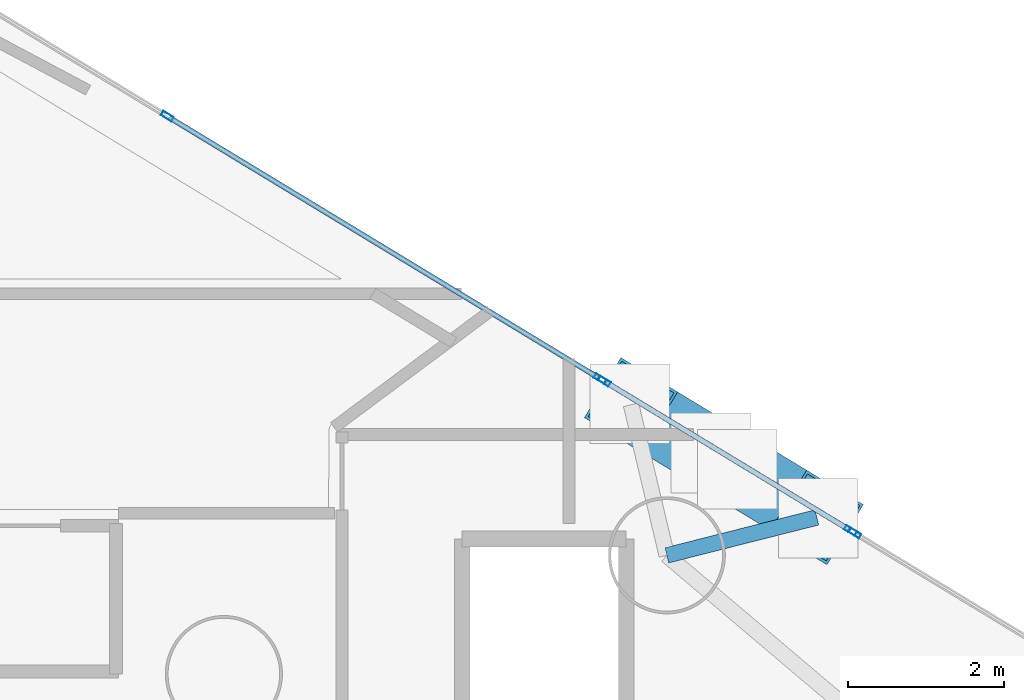
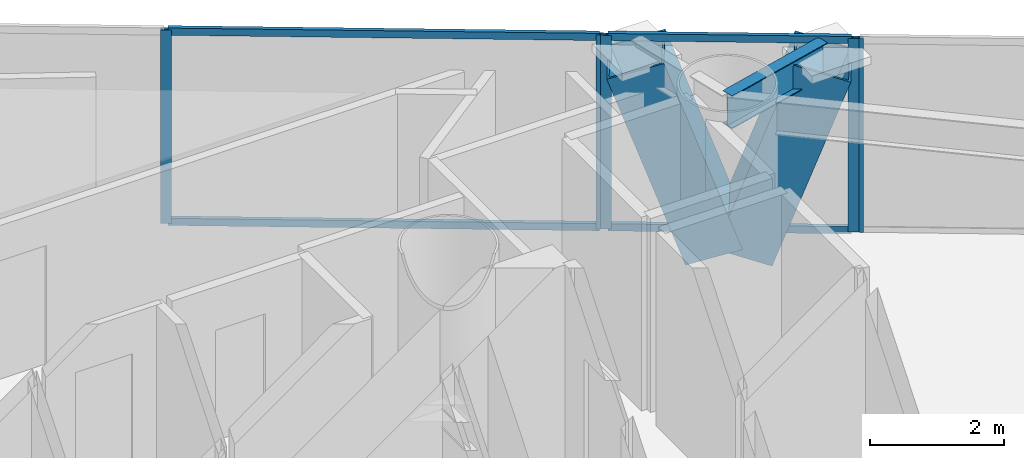
# One storey, part 10 of 18: 11 members, 1 beam, 3 elements without a shape of their own.
"""IFC4 building model written with IfcOpenShell, lengths in metres."""

from ifc_helpers import new_model, si_unit, direction, frame, origin, origin_2d, place, context, subcontext, project, spatial, hollow_rectangle, i_section, extrude, material, layer, layer_set, material_profile, profile_set, type_object, element, aggregate, save


model = new_model("IFC4")

# Units and contexts
model_context = context("Model", 3, precision=1e-05, world=origin(), true_north=direction((0.0, 1.0)))
body_context = subcontext(model_context, "Body", "Model", "MODEL_VIEW")
ifc_project = project(units=[si_unit("LENGTHUNIT", "METRE"), si_unit("AREAUNIT", "SQUARE_METRE"), si_unit("VOLUMEUNIT", "CUBIC_METRE"), si_unit("PLANEANGLEUNIT", "RADIAN"), si_unit("MASSUNIT", "GRAM", prefix="KILO")], contexts=[model_context])

# Site, building, storey
site_placement = place(None, origin())
site = spatial("IfcSite", under=ifc_project, at=site_placement, CompositionType="ELEMENT")
building_placement = place(site_placement, origin())
building = spatial("IfcBuilding", under=site, at=building_placement, Name="Qianvela Tower", CompositionType="ELEMENT")
storey_placement = place(building_placement, frame((0.0, 0.0, 116.300048828125)))
storey = spatial("IfcBuildingStorey", under=building, at=storey_placement, Name="L29", CompositionType="ELEMENT", Elevation=116.300048828125)

# Beam
ifc_material_1 = material(Name="Steel Q355B", Category="steel")
ifc_material_profile_1 = material_profile(ifc_material_1, i_section(OverallWidth=0.199951171875, OverallDepth=0.60009765625, WebThickness=0.010986328125, FlangeThickness=0.01708984375, at=origin_2d()), Name="HN600x200x11x17")
ifc_profile_set_1 = profile_set([ifc_material_profile_1], Name="Steel Q355B")
beam_type = type_object("IfcBeamType", Name="BM-HN600-GIRD", PredefinedType="BEAM", material=ifc_profile_set_1)
beam_placement = place(storey_placement, frame((44.071044921875, 35.070068359375, 3.218017578125), z_axis=(0.969479418565, 0.245172708469, 0.0), x_axis=(-0.245172708469, 0.969479418565, 0.0)))
element("IfcBeam", 1, at=beam_placement, inside=storey, type_object=beam_type, Name="L29 Mega-Brace Column Tie Bracket F1-1", PredefinedType="BEAM", context=body_context, shape_type="SweptSolid", body=[
    extrude(i_section(OverallWidth=0.199951171875, OverallDepth=0.60009765625, WebThickness=0.010986328125, FlangeThickness=0.01708984375, at=origin_2d()), origin(), (0.0, 0.0, 1.0), 1.981689453125),
])

# Curtain wall, members
ifc_material_2 = material(Name="Anodised Architectural Aluminium and Insulated Spandrel Panel", Category="aluminium")
ifc_layer_1 = layer(ifc_material_2, 0.179931640625)
ifc_layer_set_1 = layer_set([ifc_layer_1], Name="Anodised Architectural Aluminium and Insulated Spandrel Panel")
curtain_wall_type_1 = type_object("IfcCurtainWallType", Name="CW-BRACEBAY", PredefinedType="USERDEFINED", material=ifc_layer_set_1)
curtain_wall_1_placement = place(storey_placement, origin())
curtain_wall_1 = element("IfcCurtainWall", 2, at=curtain_wall_1_placement, inside=storey, type_object=curtain_wall_type_1, Name="L29 CW-BRACEBAY Curtain Wall 02B", ObjectType="CURTAIN_WALL_SYSTEM", PredefinedType="USERDEFINED")
ifc_material_3 = material(Name="Anodised Architectural Aluminium 6063-T6", Category="aluminium")
ifc_material_profile_2 = material_profile(ifc_material_3, hollow_rectangle(XDim=0.06494140625, YDim=0.159912109375, WallThickness=0.0048828125, at=origin_2d()), Name="ALU-MULL-65x160")
ifc_profile_set_2 = profile_set([ifc_material_profile_2], Name="Anodised Architectural Aluminium 6063-T6")
member_type_1 = type_object("IfcMemberType", Name="CW-BRACEBAY-MULL", PredefinedType="MULLION", material=ifc_profile_set_2)
member_1_placement = place(storey_placement, frame((46.422607421875, 35.388427734375, 0.0), z_axis=(0.0, 0.0, 1.0), x_axis=(-0.518529231212, -0.855059902217, 0.0)))
member_1 = element("IfcMember", 3, at=member_1_placement, type_object=member_type_1, Name="CW-9 mullion 1", PredefinedType="MULLION", context=body_context, shape_type="SweptSolid", body=[
    extrude(hollow_rectangle(XDim=0.06494140625, YDim=0.159912109375, WallThickness=0.0048828125, at=origin_2d()), origin(), (0.0, 0.0, 1.0), 3.52001953125),
])
member_2_placement = place(storey_placement, frame((43.271728515625, 37.299072265625, 0.0), z_axis=(0.0, 0.0, 1.0), x_axis=(-0.518529231212, -0.855059902217, 0.0)))
member_2 = element("IfcMember", 4, at=member_2_placement, type_object=member_type_1, Name="CW-9 mullion 2", PredefinedType="MULLION", context=body_context, shape_type="SweptSolid", body=[
    extrude(hollow_rectangle(XDim=0.06494140625, YDim=0.159912109375, WallThickness=0.0048828125, at=origin_2d()), origin(), (0.0, 0.0, 1.0), 3.52001953125),
])
ifc_material_4 = material(Name="Anodised Architectural Aluminium 6063-T6", Category="aluminium")
ifc_material_profile_3 = material_profile(ifc_material_4, hollow_rectangle(XDim=0.06494140625, YDim=0.1298828125, WallThickness=0.00439453125, at=origin_2d()), Name="ALU-TRAN-65x130")
ifc_profile_set_3 = profile_set([ifc_material_profile_3], Name="Anodised Architectural Aluminium 6063-T6")
member_type_2 = type_object("IfcMemberType", Name="CW-BRACEBAY-TRAN", PredefinedType="USERDEFINED", material=ifc_profile_set_3)
member_3_placement = place(storey_placement, frame((46.39501953125, 35.4052734375, 0.032470703125), z_axis=(-0.855085485155, 0.518487042343, 0.0), x_axis=(-0.518487042343, -0.855085485155, 0.0)))
member_3 = element("IfcMember", 5, at=member_3_placement, type_object=member_type_2, Name="CW-9 transom 1.1", ObjectType="TRANSOM", PredefinedType="USERDEFINED", context=body_context, shape_type="SweptSolid", body=[
    extrude(hollow_rectangle(XDim=0.06494140625, YDim=0.1298828125, WallThickness=0.00439453125, at=origin_2d()), origin(), (0.0, 0.0, 1.0), 3.6201171875),
])
member_4_placement = place(storey_placement, frame((46.39501953125, 35.4052734375, 3.487548828125), z_axis=(-0.855085485155, 0.518487042343, 0.0), x_axis=(-0.518487042343, -0.855085485155, 0.0)))
member_4 = element("IfcMember", 6, at=member_4_placement, type_object=member_type_2, Name="CW-9 transom 1.2", ObjectType="TRANSOM", PredefinedType="USERDEFINED", context=body_context, shape_type="SweptSolid", body=[
    extrude(hollow_rectangle(XDim=0.06494140625, YDim=0.1298828125, WallThickness=0.00439453125, at=origin_2d()), origin(), (0.0, 0.0, 1.0), 3.6201171875),
])
aggregate(curtain_wall_1, [member_1, member_2, member_3, member_4])

# Curtain wall, member
ifc_material_5 = material(Name="Anodised Architectural Aluminium and Low-E Glass", Category="aluminium")
ifc_layer_2 = layer(ifc_material_5, 0.169921875)
ifc_layer_set_2 = layer_set([ifc_layer_2], Name="Anodised Architectural Aluminium and Low-E Glass")
curtain_wall_type_2 = type_object("IfcCurtainWallType", Name="CW-COLIV-Z34", PredefinedType="USERDEFINED", material=ifc_layer_set_2)
curtain_wall_2_placement = place(storey_placement, origin())
curtain_wall_2 = element("IfcCurtainWall", 7, at=curtain_wall_2_placement, inside=storey, type_object=curtain_wall_type_2, Name="L29 CW-COLIV-Z34 Curtain Wall 02A", ObjectType="CURTAIN_WALL_SYSTEM", PredefinedType="USERDEFINED")
ifc_material_6 = material(Name="Anodised Architectural Aluminium 6063-T6", Category="aluminium")
ifc_material_profile_4 = material_profile(ifc_material_6, hollow_rectangle(XDim=0.06494140625, YDim=0.159912109375, WallThickness=0.0048828125, at=origin_2d()), Name="ALU-MULL-65x160")
ifc_profile_set_4 = profile_set([ifc_material_profile_4], Name="Anodised Architectural Aluminium 6063-T6")
member_type_3 = type_object("IfcMemberType", Name="CW-COLIV-Z34-MULL", PredefinedType="MULLION", material=ifc_profile_set_4)
member_5_placement = place(storey_placement, frame((46.478271484375, 35.354736328125, 0.0), z_axis=(0.0, 0.0, 1.0), x_axis=(-0.518523038437, -0.855063657636, 0.0)))
member_5 = element("IfcMember", 8, at=member_5_placement, type_object=member_type_3, Name="CW-4 mullion 3", PredefinedType="MULLION", context=body_context, shape_type="SweptSolid", body=[
    extrude(hollow_rectangle(XDim=0.06494140625, YDim=0.159912109375, WallThickness=0.0048828125, at=origin_2d()), origin(), (0.0, 0.0, 1.0), 3.52001953125),
])
aggregate(curtain_wall_2, [member_5])

# Curtain wall, members
curtain_wall_3_placement = place(storey_placement, origin())
curtain_wall_3 = element("IfcCurtainWall", 9, at=curtain_wall_3_placement, inside=storey, type_object=curtain_wall_type_2, Name="L29 CW-COLIV-Z34 Curtain Wall 02C", ObjectType="CURTAIN_WALL_SYSTEM", PredefinedType="USERDEFINED")
member_6_placement = place(storey_placement, frame((43.21630859375, 37.332763671875, 0.0), z_axis=(0.0, 0.0, 1.0), x_axis=(-0.518521156351, -0.855064798957, 0.0)))
member_6 = element("IfcMember", 10, at=member_6_placement, type_object=member_type_3, Name="CW-4 mullion 1", PredefinedType="MULLION", context=body_context, shape_type="SweptSolid", body=[
    extrude(hollow_rectangle(XDim=0.06494140625, YDim=0.159912109375, WallThickness=0.0048828125, at=origin_2d()), origin(), (0.0, 0.0, 1.0), 3.52001953125),
])
member_7_placement = place(storey_placement, frame((37.67431640625, 40.693603515625, 0.0), z_axis=(0.0, 0.0, 1.0), x_axis=(-0.518521156351, -0.855064798957, 0.0)))
member_7 = element("IfcMember", 11, at=member_7_placement, type_object=member_type_3, Name="CW-4 mullion 2", PredefinedType="MULLION", context=body_context, shape_type="SweptSolid", body=[
    extrude(hollow_rectangle(XDim=0.06494140625, YDim=0.159912109375, WallThickness=0.0048828125, at=origin_2d()), origin(), (0.0, 0.0, 1.0), 3.52001953125),
])
ifc_material_7 = material(Name="Anodised Architectural Aluminium 6063-T6", Category="aluminium")
ifc_material_profile_5 = material_profile(ifc_material_7, hollow_rectangle(XDim=0.06494140625, YDim=0.1298828125, WallThickness=0.00439453125, at=origin_2d()), Name="ALU-TRAN-65x130")
ifc_profile_set_5 = profile_set([ifc_material_profile_5], Name="Anodised Architectural Aluminium 6063-T6")
member_type_4 = type_object("IfcMemberType", Name="CW-COLIV-Z34-TRAN", PredefinedType="USERDEFINED", material=ifc_profile_set_5)
member_8_placement = place(storey_placement, frame((43.1884765625, 37.349609375, 0.032470703125), z_axis=(-0.855052652121, 0.518541186504, 0.0), x_axis=(-0.518541186504, -0.855052652121, 0.0)))
member_8 = element("IfcMember", 12, at=member_8_placement, type_object=member_type_4, Name="CW-4 transom 1.1", ObjectType="TRANSOM", PredefinedType="USERDEFINED", context=body_context, shape_type="SweptSolid", body=[
    extrude(hollow_rectangle(XDim=0.06494140625, YDim=0.1298828125, WallThickness=0.00439453125, at=origin_2d()), origin(), (0.0, 0.0, 1.0), 6.416259765625),
])
member_9_placement = place(storey_placement, frame((43.1884765625, 37.349609375, 3.487548828125), z_axis=(-0.855052652121, 0.518541186504, 0.0), x_axis=(-0.518541186504, -0.855052652121, 0.0)))
member_9 = element("IfcMember", 13, at=member_9_placement, type_object=member_type_4, Name="CW-4 transom 1.2", ObjectType="TRANSOM", PredefinedType="USERDEFINED", context=body_context, shape_type="SweptSolid", body=[
    extrude(hollow_rectangle(XDim=0.06494140625, YDim=0.1298828125, WallThickness=0.00439453125, at=origin_2d()), origin(), (0.0, 0.0, 1.0), 6.416259765625),
])
aggregate(curtain_wall_3, [member_6, member_7, member_8, member_9])

# Members
ifc_material_8 = material(Name="Steel Q420GJC", Category="steel")
ifc_material_profile_6 = material_profile(ifc_material_8, hollow_rectangle(XDim=0.89990234375, YDim=0.89990234375, WallThickness=0.035888671875, at=origin_2d()), Name="MBOX-900x900x36")
ifc_profile_set_6 = profile_set([ifc_material_profile_6], Name="Steel Q420GJC")
member_type_5 = type_object("IfcMemberType", Name="MBR-MBRACE-900", PredefinedType="BRACE", material=ifc_profile_set_6)
for number, where, z_axis, x_axis, name in (
    (14, (44.9912109375, 36.1630859375, -0.14013671875), (0.281459612257, -0.170729281874, 0.944262674778), (0.518629818026, 0.854998895821, 0.0), "L29 Tier 5 Exterior Mega-Brace F1A"),
    (15, (44.61474609375, 36.39111328125, -0.14013671875), (-0.281522820795, 0.170725982764, 0.944244428197), (-0.518537360653, -0.855054972272, 0.0), "L29 Tier 5 Exterior Mega-Brace F1B"),
):
    element("IfcMember", number, at=place(storey_placement, frame(where, z_axis=z_axis, x_axis=x_axis)), inside=storey, type_object=member_type_5, Name=name, PredefinedType="BRACE", context=body_context, shape_type="SweptSolid", body=[
        extrude(hollow_rectangle(XDim=0.89990234375, YDim=0.89990234375, WallThickness=0.035888671875, at=origin_2d()), origin(), (0.0, 0.0, 1.0), 3.556396484375),
    ])

save(model, "model.ifc")
